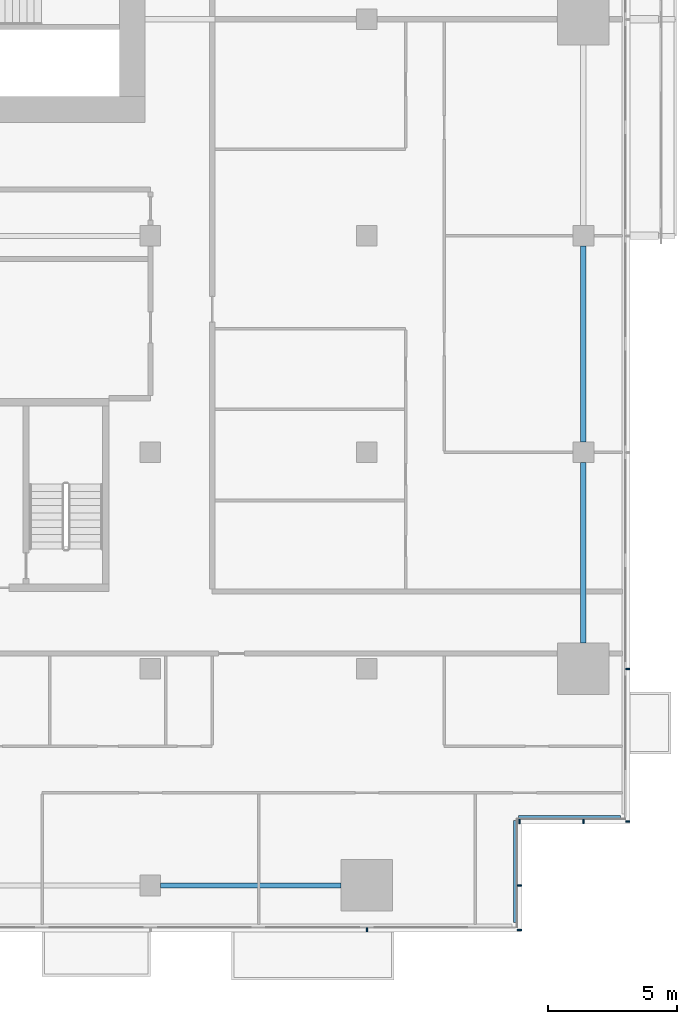
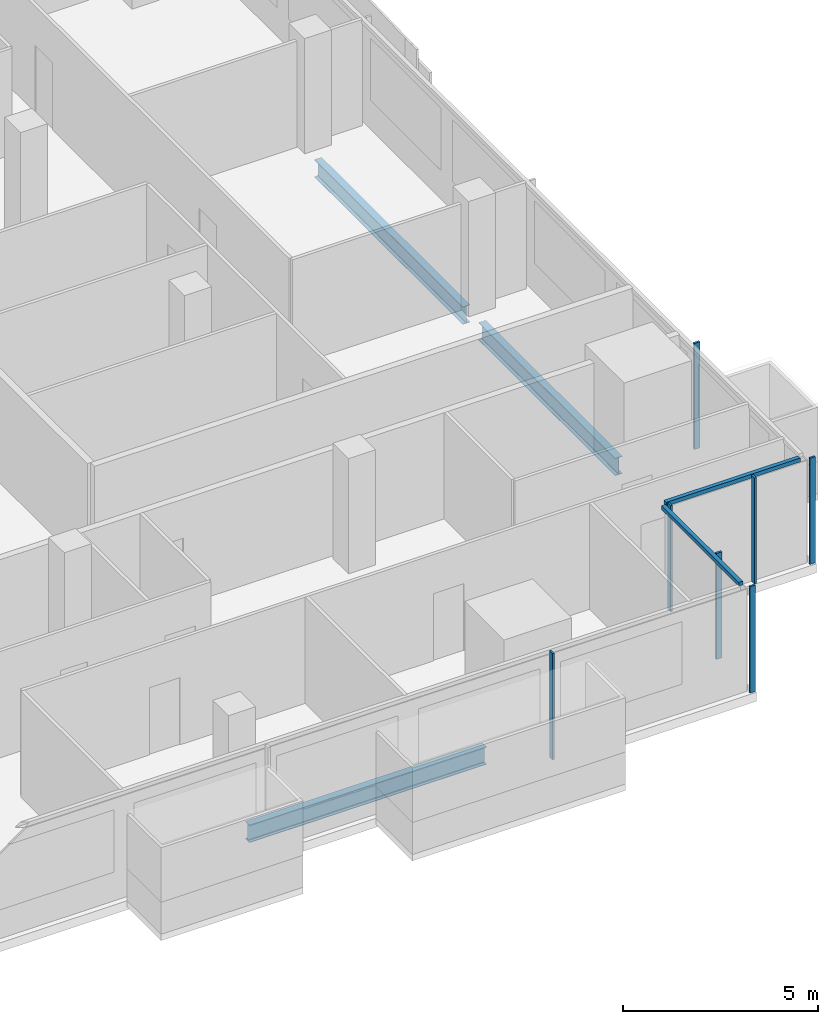
# One storey, part 11 of 29: 9 members, 3 beams, 4 elements without a shape of their own.
"""IFC4 building model written with IfcOpenShell, lengths in metres."""

from ifc_helpers import new_model, si_unit, direction, frame, origin, origin_2d, place, context, subcontext, project, spatial, rectangle, i_section, extrude, material, material_profile, profile_set, type_object, element, aggregate, save


model = new_model("IFC4")

# Units and contexts
model_context = context("Model", 3, precision=1e-05, world=origin(), true_north=direction((0.0, 1.0)))
body_context = subcontext(model_context, "Body", "Model", "MODEL_VIEW")
ifc_project = project(units=[si_unit("LENGTHUNIT", "METRE"), si_unit("AREAUNIT", "SQUARE_METRE"), si_unit("VOLUMEUNIT", "CUBIC_METRE"), si_unit("PLANEANGLEUNIT", "RADIAN"), si_unit("MASSUNIT", "GRAM", prefix="KILO")], contexts=[model_context])

# Site, building, storey
site_placement = place(None, origin())
site = spatial("IfcSite", under=ifc_project, at=site_placement, CompositionType="ELEMENT")
building_placement = place(site_placement, origin())
building = spatial("IfcBuilding", under=site, at=building_placement, Name="Saffron Gate Tower", CompositionType="ELEMENT")
storey_placement = place(building_placement, frame((0.0, 0.0, 113.25)))
storey = spatial("IfcBuildingStorey", under=building, at=storey_placement, Name="L26", CompositionType="ELEMENT", Elevation=113.25)

# Beams
ifc_material_1 = material(Name="Structural steel S355", Category="steel")
ifc_material_profile_1 = material_profile(ifc_material_1, i_section(OverallWidth=0.2099609375, OverallDepth=0.550048828125, WebThickness=0.010986328125, FlangeThickness=0.01708984375, FilletRadius=0.02392578125, at=origin_2d()))
ifc_profile_set_1 = profile_set([ifc_material_profile_1], Name="Structural steel S355")
beam_type = type_object("IfcBeamType", Name="B13 IPE 550", PredefinedType="SPANDREL", material=ifc_profile_set_1)
for number, where, z_axis, x_axis, name in (
    (1, (109.0, 31.800048828125, -0.554931640625), (1.0, 0.0, 0.0), (0.0, 1.0, 0.0), "B13 SPANDREL BEAM"),
    (2, (125.39990234375, 41.199951171875, -0.554931640625), (0.0, 1.0, 0.0), (-1.0, 0.0, 0.0), "B13 SPANDREL BEAM"),
):
    element("IfcBeam", number, at=place(storey_placement, frame(where, z_axis=z_axis, x_axis=x_axis)), inside=storey, type_object=beam_type, Name=name, PredefinedType="SPANDREL", context=body_context, shape_type="SweptSolid", body=[
        extrude(i_section(OverallWidth=0.2099609375, OverallDepth=0.550048828125, WebThickness=0.010986328125, FlangeThickness=0.01708984375, FilletRadius=0.02392578125, at=origin_2d()), origin(), (0.0, 0.0, 1.0), 7.0),
    ])
beam_placement = place(storey_placement, frame((125.39990234375, 49.0, -0.554931640625), z_axis=(0.0, 1.0, 0.0), x_axis=(-1.0, 0.0, 0.0)))
element("IfcBeam", 3, at=beam_placement, inside=storey, type_object=beam_type, Name="B13 SPANDREL BEAM", PredefinedType="SPANDREL", context=body_context, shape_type="SweptSolid", body=[
    extrude(i_section(OverallWidth=0.2099609375, OverallDepth=0.550048828125, WebThickness=0.010986328125, FlangeThickness=0.01708984375, FilletRadius=0.02392578125, at=origin_2d()), origin(), (0.0, 0.0, 1.0), 7.60009765625),
])

# Curtain wall, member
ifc_material_2 = material(Name="Aluminium, bronze anodised", Category="aluminium")
curtain_wall_type_1 = type_object("IfcCurtainWallType", Name="CWS1 curtain wall front facade", PredefinedType="NOTDEFINED", material=ifc_material_2)
curtain_wall_1_placement = place(storey_placement, origin())
curtain_wall_1 = element("IfcCurtainWall", 4, at=curtain_wall_1_placement, inside=storey, type_object=curtain_wall_type_1, Name="CWS1 run 1", PredefinedType="NOTDEFINED")
ifc_material_profile_2 = material_profile(ifc_material_2, rectangle(XDim=0.159912109375, YDim=0.06005859375, at=origin_2d()))
ifc_profile_set_2 = profile_set([ifc_material_profile_2], Name="Aluminium, bronze anodised")
member_type_1 = type_object("IfcMemberType", Name="CWS1 mullion 60x160", PredefinedType="MULLION", material=ifc_profile_set_2)
member_1_placement = place(storey_placement, frame((117.0, 30.080078125, 0.0), z_axis=(0.0, 0.0, 1.0), x_axis=(0.0, 1.0, 0.0)))
member_1 = element("IfcMember", 5, at=member_1_placement, type_object=member_type_1, Name="CWS1 mullion 9", PredefinedType="MULLION", context=body_context, shape_type="SweptSolid", body=[
    extrude(rectangle(XDim=0.159912109375, YDim=0.06005859375, at=origin_2d()), origin(), (0.0, 0.0, 1.0), 3.320068359375),
])
aggregate(curtain_wall_1, [member_1])

# Curtain wall, members
curtain_wall_type_2 = type_object("IfcCurtainWallType", Name="CWS2 curtain wall side facades", PredefinedType="NOTDEFINED", material=ifc_material_2)
curtain_wall_2_placement = place(storey_placement, origin())
curtain_wall_2 = element("IfcCurtainWall", 6, at=curtain_wall_2_placement, inside=storey, type_object=curtain_wall_type_2, Name="CWS2 run 4", PredefinedType="NOTDEFINED")
ifc_material_profile_3 = material_profile(ifc_material_2, rectangle(XDim=0.159912109375, YDim=0.06005859375, at=origin_2d()))
ifc_profile_set_3 = profile_set([ifc_material_profile_3], Name="Aluminium, bronze anodised")
member_type_2 = type_object("IfcMemberType", Name="CWS2 mullion 60x160", PredefinedType="MULLION", material=ifc_profile_set_3)
member_2_placement = place(storey_placement, frame((127.1201171875, 34.280029296875, 0.0), z_axis=(0.0, 0.0, 1.0), x_axis=(-1.0, 0.0, 0.0)))
member_2 = element("IfcMember", 7, at=member_2_placement, type_object=member_type_2, Name="CWS2 mullion 1", PredefinedType="MULLION", context=body_context, shape_type="SweptSolid", body=[
    extrude(rectangle(XDim=0.159912109375, YDim=0.06005859375, at=origin_2d()), origin(), (0.0, 0.0, 1.0), 3.320068359375),
])
member_3_placement = place(storey_placement, frame((127.1201171875, 40.199951171875, 0.0), z_axis=(0.0, 0.0, 1.0), x_axis=(-1.0, 0.0, 0.0)))
member_3 = element("IfcMember", 8, at=member_3_placement, type_object=member_type_2, Name="CWS2 mullion 2", PredefinedType="MULLION", context=body_context, shape_type="SweptSolid", body=[
    extrude(rectangle(XDim=0.159912109375, YDim=0.06005859375, at=origin_2d()), origin(), (0.0, 0.0, 1.0), 3.320068359375),
])
aggregate(curtain_wall_2, [member_2, member_3])

# Curtain wall, member
curtain_wall_type_3 = type_object("IfcCurtainWallType", Name="CWS4 curtain wall corner returns", PredefinedType="NOTDEFINED", material=ifc_material_2)
curtain_wall_3_placement = place(storey_placement, origin())
curtain_wall_3 = element("IfcCurtainWall", 9, at=curtain_wall_3_placement, inside=storey, type_object=curtain_wall_type_3, Name="CWS4 run 2", PredefinedType="NOTDEFINED")
ifc_material_profile_4 = material_profile(ifc_material_2, rectangle(XDim=0.1201171875, YDim=0.1201171875, at=origin_2d()))
ifc_profile_set_4 = profile_set([ifc_material_profile_4], Name="Aluminium, bronze anodised")
member_type_3 = type_object("IfcMemberType", Name="CWS4 head transom", PredefinedType="USERDEFINED", material=ifc_profile_set_4)
member_4_placement = place(storey_placement, frame((122.751953125, 30.367919921875, 3.260009765625), z_axis=(0.0, 1.0, 0.0), x_axis=(-1.0, 0.0, 0.0)))
member_4 = element("IfcMember", 10, at=member_4_placement, type_object=member_type_3, Name="CWS4 head transom", ObjectType="TRANSOM", PredefinedType="USERDEFINED", context=body_context, shape_type="SweptSolid", body=[
    extrude(rectangle(XDim=0.1201171875, YDim=0.1201171875, at=origin_2d()), origin(), (0.0, 0.0, 1.0), 3.9599609375),
])

curtain_wall_4_placement = place(storey_placement, origin())
curtain_wall_4 = element("IfcCurtainWall", 11, at=curtain_wall_4_placement, inside=storey, type_object=curtain_wall_type_3, Name="CWS4 run 3", PredefinedType="NOTDEFINED")
member_5_placement = place(storey_placement, frame((122.8720703125, 34.447998046875, 3.260009765625), z_axis=(1.0, 0.0, 0.0), x_axis=(0.0, 1.0, 0.0)))
member_5 = element("IfcMember", 12, at=member_5_placement, type_object=member_type_3, Name="CWS4 head transom", ObjectType="TRANSOM", PredefinedType="USERDEFINED", context=body_context, shape_type="SweptSolid", body=[
    extrude(rectangle(XDim=0.1201171875, YDim=0.1201171875, at=origin_2d()), origin(), (0.0, 0.0, 1.0), 3.9599609375),
])

# Member
ifc_material_profile_5 = material_profile(ifc_material_2, rectangle(XDim=0.159912109375, YDim=0.06005859375, at=origin_2d()))
ifc_profile_set_5 = profile_set([ifc_material_profile_5], Name="Aluminium, bronze anodised")
member_type_4 = type_object("IfcMemberType", Name="CWS4 mullion 60x160", PredefinedType="MULLION", material=ifc_profile_set_5)
member_6_placement = place(storey_placement, frame((122.919921875, 30.080078125, 0.0), z_axis=(0.0, 0.0, 1.0), x_axis=(-1.0, 0.0, 0.0)))
member_6 = element("IfcMember", 13, at=member_6_placement, type_object=member_type_4, Name="CWS4 mullion 1", PredefinedType="MULLION", context=body_context, shape_type="SweptSolid", body=[
    extrude(rectangle(XDim=0.159912109375, YDim=0.06005859375, at=origin_2d()), origin(), (0.0, 0.0, 1.0), 3.320068359375),
])

member_7_placement = place(storey_placement, frame((122.919921875, 31.800048828125, 0.0), z_axis=(0.0, 0.0, 1.0), x_axis=(-1.0, 0.0, 0.0)))
member_7 = element("IfcMember", 14, at=member_7_placement, type_object=member_type_4, Name="CWS4 mullion 2", PredefinedType="MULLION", context=body_context, shape_type="SweptSolid", body=[
    extrude(rectangle(XDim=0.159912109375, YDim=0.06005859375, at=origin_2d()), origin(), (0.0, 0.0, 1.0), 3.320068359375),
])

aggregate(curtain_wall_3, [member_6, member_7, member_4])

member_8_placement = place(storey_placement, frame((122.919921875, 34.280029296875, 0.0), z_axis=(0.0, 0.0, 1.0), x_axis=(0.0, 1.0, 0.0)))
member_8 = element("IfcMember", 15, at=member_8_placement, type_object=member_type_4, Name="CWS4 mullion 1", PredefinedType="MULLION", context=body_context, shape_type="SweptSolid", body=[
    extrude(rectangle(XDim=0.159912109375, YDim=0.06005859375, at=origin_2d()), origin(), (0.0, 0.0, 1.0), 3.320068359375),
])

member_9_placement = place(storey_placement, frame((125.39990234375, 34.280029296875, 0.0), z_axis=(0.0, 0.0, 1.0), x_axis=(0.0, 1.0, 0.0)))
member_9 = element("IfcMember", 16, at=member_9_placement, type_object=member_type_4, Name="CWS4 mullion 2", PredefinedType="MULLION", context=body_context, shape_type="SweptSolid", body=[
    extrude(rectangle(XDim=0.159912109375, YDim=0.06005859375, at=origin_2d()), origin(), (0.0, 0.0, 1.0), 3.320068359375),
])

aggregate(curtain_wall_4, [member_8, member_9, member_5])

save(model, "model.ifc")
